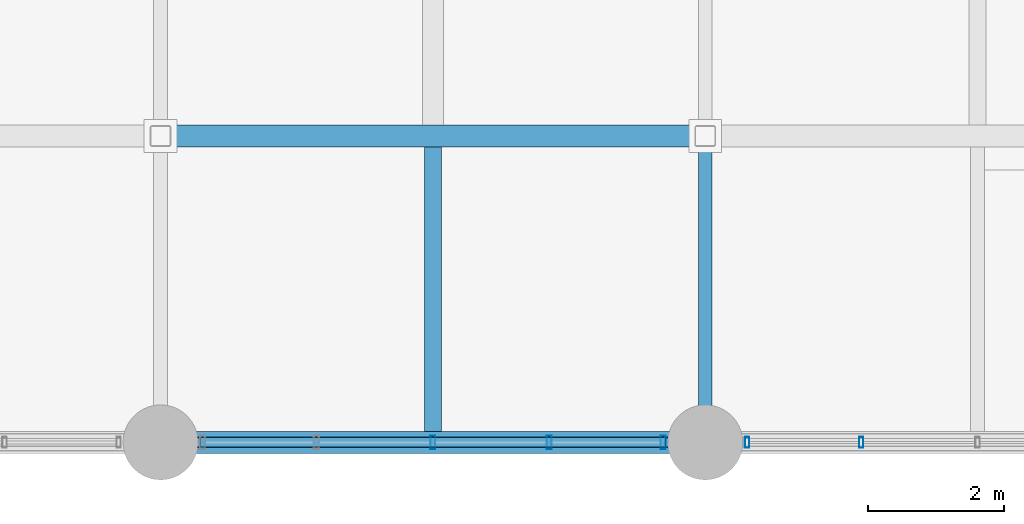
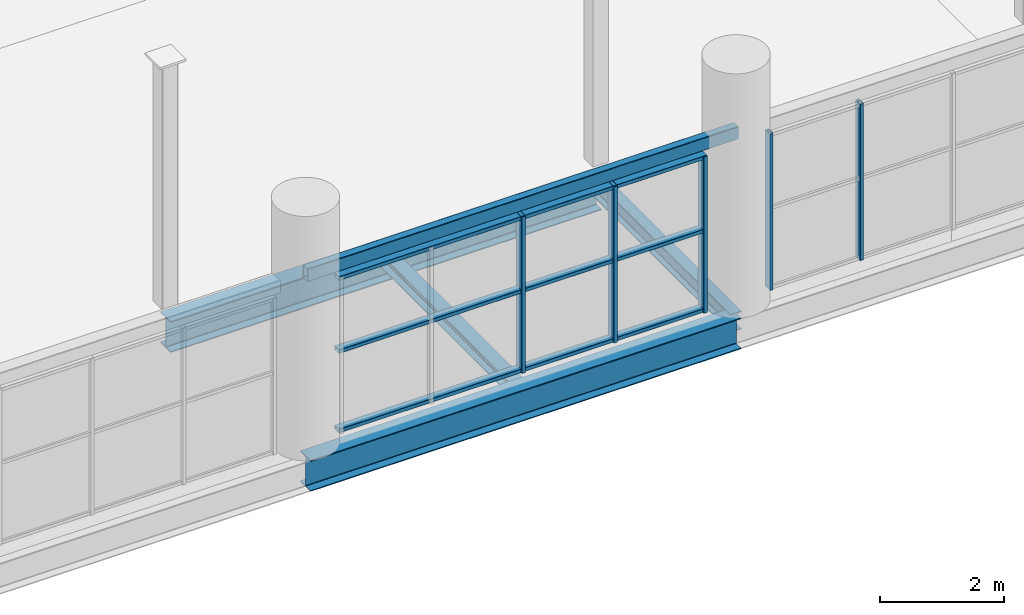
# One storey, part 26 of 114: 8 members, 5 beams, 2 elements without a shape of their own.
"""IFC4 building model written with IfcOpenShell, lengths in metres."""

from ifc_helpers import new_model, si_unit, direction, frame, origin, origin_2d, place, context, subcontext, project, spatial, hollow_rectangle, i_section, extrude, material, material_profile, profile_set, type_object, element, aggregate, save


model = new_model("IFC4")

# Units and contexts
model_context = context("Model", 3, precision=1e-05, world=origin(), true_north=direction((0.0, 1.0)))
body_context = subcontext(model_context, "Body", "Model", "MODEL_VIEW")
ifc_project = project(units=[si_unit("LENGTHUNIT", "METRE"), si_unit("AREAUNIT", "SQUARE_METRE"), si_unit("VOLUMEUNIT", "CUBIC_METRE"), si_unit("PLANEANGLEUNIT", "RADIAN"), si_unit("MASSUNIT", "GRAM", prefix="KILO")], contexts=[model_context])

# Site, building, storey
site_placement = place(None, origin())
site = spatial("IfcSite", under=ifc_project, at=site_placement, CompositionType="ELEMENT")
building_placement = place(site_placement, origin())
building = spatial("IfcBuilding", under=site, at=building_placement, Name="Verrall Gate Interchange", CompositionType="ELEMENT")
storey_placement = place(building_placement, frame((0.0, 0.0, 6.60009765625)))
storey = spatial("IfcBuildingStorey", under=building, at=storey_placement, Name="L02", CompositionType="ELEMENT", Elevation=6.60009765625)

# Beams
ifc_material_1 = material(Name="Structural Steel CSA G40.21 350WT Cat 4", Category="steel")
ifc_material_profile_1 = material_profile(ifc_material_1, i_section(OverallWidth=0.323974609375, OverallDepth=0.611083984375, WebThickness=0.0126953125, FlangeThickness=0.01904296875, FilletRadius=0.014892578125, at=origin_2d()), Name="W610x155")
ifc_profile_set_1 = profile_set([ifc_material_profile_1], Name="Structural Steel CSA G40.21 350WT Cat 4")
beam_type_1 = type_object("IfcBeamType", Name="B-08 Structural Beam W610x155", PredefinedType="BEAM", material=ifc_profile_set_1)
for number, where, z_axis, x_axis, name in (
    (1, (60.0, 0.0, -0.585693359375), (1.0, 0.0, 0.0), (0.0, 1.0, 0.0), "L02 Girder BM-L02-1444 (B-08)"),
    (2, (60.0, 4.5, -0.585693359375), (1.0, 0.0, 0.0), (0.0, 1.0, 0.0), "L02 Girder BM-L02-1460 (B-08)"),
):
    element("IfcBeam", number, at=place(storey_placement, frame(where, z_axis=z_axis, x_axis=x_axis)), inside=storey, type_object=beam_type_1, Name=name, PredefinedType="BEAM", context=body_context, shape_type="SweptSolid", body=[
        extrude(i_section(OverallWidth=0.323974609375, OverallDepth=0.611083984375, WebThickness=0.0126953125, FlangeThickness=0.01904296875, FilletRadius=0.014892578125, at=origin_2d()), origin(), (0.0, 0.0, 1.0), 8.0),
    ])
ifc_material_2 = material(Name="Structural Steel CSA G40.21 350W", Category="steel")
ifc_material_profile_2 = material_profile(ifc_material_2, i_section(OverallWidth=0.205078125, OverallDepth=0.35400390625, WebThickness=0.009521484375, FlangeThickness=0.016845703125, FilletRadius=0.012939453125, at=origin_2d()), Name="W360x79")
ifc_profile_set_2 = profile_set([ifc_material_profile_2], Name="Structural Steel CSA G40.21 350W")
beam_type_2 = type_object("IfcBeamType", Name="B-14 Structural Beam W360x79", PredefinedType="BEAM", material=ifc_profile_set_2)
beam_1_placement = place(storey_placement, frame((68.0, 0.0, -0.45703125), z_axis=(0.0, 1.0, 0.0), x_axis=(-1.0, 0.0, 0.0)))
element("IfcBeam", 3, at=beam_1_placement, inside=storey, type_object=beam_type_2, Name="L02 Girder BM-L02-1747 (B-14)", PredefinedType="BEAM", context=body_context, shape_type="SweptSolid", body=[
    extrude(i_section(OverallWidth=0.205078125, OverallDepth=0.35400390625, WebThickness=0.009521484375, FlangeThickness=0.016845703125, FilletRadius=0.012939453125, at=origin_2d()), origin(), (0.0, 0.0, 1.0), 4.5),
])

# Curtain wall, members
ifc_material_3 = material(Name="Thermally Broken Anodized Aluminium Curtain Wall Framing", Category="aluminium")
curtain_wall_type = type_object("IfcCurtainWallType", Name="CW-14 Unitized Curtain Wall 6836x3070", PredefinedType="NOTDEFINED", material=ifc_material_3)
curtain_wall_1_placement = place(storey_placement, origin())
curtain_wall_1 = element("IfcCurtainWall", 4, at=curtain_wall_1_placement, inside=storey, type_object=curtain_wall_type, Name="L02 Unitized Curtain Wall CW-L02-056", PredefinedType="NOTDEFINED")
ifc_material_4 = material(Name="Thermally Broken Anodized Aluminium Curtain Wall Framing", Category="aluminium")
ifc_material_profile_3 = material_profile(ifc_material_4, hollow_rectangle(XDim=0.06494140625, YDim=0.159912109375, WallThickness=0.00390625, InnerFilletRadius=0.00390625, OuterFilletRadius=0.008056640625, at=origin_2d()), Name="CWM160x65x4")
ifc_profile_set_3 = profile_set([ifc_material_profile_3], Name="Thermally Broken Anodized Aluminium Curtain Wall Framing")
member_type_1 = type_object("IfcMemberType", Name="CM-01 Curtain Mullion CWM160x65x4", PredefinedType="MULLION", material=ifc_profile_set_3)
member_1_placement = place(storey_placement, frame((68.614501953125, 0.0, 0.0), z_axis=(0.0, 0.0, 1.0), x_axis=(1.0, 0.0, 0.0)))
member_1 = element("IfcMember", 5, at=member_1_placement, type_object=member_type_1, Name="CW-L02-056 Mullion 1", PredefinedType="MULLION", context=body_context, shape_type="SweptSolid", body=[
    extrude(hollow_rectangle(XDim=0.06494140625, YDim=0.159912109375, WallThickness=0.00390625, InnerFilletRadius=0.00390625, OuterFilletRadius=0.008056640625, at=origin_2d()), origin(), (0.0, 0.0, 1.0), 3.06982421875),
])
member_2_placement = place(storey_placement, frame((70.291015625, 0.0, 0.0), z_axis=(0.0, 0.0, 1.0), x_axis=(1.0, 0.0, 0.0)))
member_2 = element("IfcMember", 6, at=member_2_placement, type_object=member_type_1, Name="CW-L02-056 Mullion 2", PredefinedType="MULLION", context=body_context, shape_type="SweptSolid", body=[
    extrude(hollow_rectangle(XDim=0.06494140625, YDim=0.159912109375, WallThickness=0.00390625, InnerFilletRadius=0.00390625, OuterFilletRadius=0.008056640625, at=origin_2d()), origin(), (0.0, 0.0, 1.0), 3.06982421875),
])
aggregate(curtain_wall_1, [member_1, member_2])

curtain_wall_2_placement = place(storey_placement, origin())
curtain_wall_2 = element("IfcCurtainWall", 7, at=curtain_wall_2_placement, inside=storey, type_object=curtain_wall_type, Name="L02 Unitized Curtain Wall CW-L02-055", PredefinedType="NOTDEFINED")
ifc_material_5 = material(Name="Thermally Broken Anodized Aluminium Curtain Wall Framing", Category="aluminium")
ifc_material_profile_4 = material_profile(ifc_material_5, hollow_rectangle(XDim=0.074951171875, YDim=0.199951171875, WallThickness=0.0048828125, InnerFilletRadius=0.0048828125, OuterFilletRadius=0.010009765625, at=origin_2d()), Name="CWM200x75x5")
ifc_profile_set_4 = profile_set([ifc_material_profile_4], Name="Thermally Broken Anodized Aluminium Curtain Wall Framing")
member_type_2 = type_object("IfcMemberType", Name="CM-02 Curtain Mullion CWM200x75x5", PredefinedType="MULLION", material=ifc_profile_set_4)
member_3_placement = place(storey_placement, frame((64.0, 0.0, 0.0), z_axis=(0.0, 0.0, 1.0), x_axis=(1.0, 0.0, 0.0)))
member_3 = element("IfcMember", 8, at=member_3_placement, type_object=member_type_2, Name="CW-L02-055 Mullion 3", PredefinedType="MULLION", context=body_context, shape_type="SweptSolid", body=[
    extrude(hollow_rectangle(XDim=0.074951171875, YDim=0.199951171875, WallThickness=0.0048828125, InnerFilletRadius=0.0048828125, OuterFilletRadius=0.010009765625, at=origin_2d()), origin(), (0.0, 0.0, 1.0), 3.06982421875),
])
member_4_placement = place(storey_placement, frame((65.708984375, 0.0, 0.0), z_axis=(0.0, 0.0, 1.0), x_axis=(1.0, 0.0, 0.0)))
member_4 = element("IfcMember", 9, at=member_4_placement, type_object=member_type_2, Name="CW-L02-055 Mullion 4", PredefinedType="MULLION", context=body_context, shape_type="SweptSolid", body=[
    extrude(hollow_rectangle(XDim=0.074951171875, YDim=0.199951171875, WallThickness=0.0048828125, InnerFilletRadius=0.0048828125, OuterFilletRadius=0.010009765625, at=origin_2d()), origin(), (0.0, 0.0, 1.0), 3.06982421875),
])
member_5_placement = place(storey_placement, frame((67.380615234375, 0.0, 0.0), z_axis=(0.0, 0.0, 1.0), x_axis=(1.0, 0.0, 0.0)))
member_5 = element("IfcMember", 10, at=member_5_placement, type_object=member_type_2, Name="CW-L02-055 Mullion 5", PredefinedType="MULLION", context=body_context, shape_type="SweptSolid", body=[
    extrude(hollow_rectangle(XDim=0.074951171875, YDim=0.199951171875, WallThickness=0.0048828125, InnerFilletRadius=0.0048828125, OuterFilletRadius=0.010009765625, at=origin_2d()), origin(), (0.0, 0.0, 1.0), 3.06982421875),
])
ifc_material_6 = material(Name="Thermally Broken Anodized Aluminium Curtain Wall Framing", Category="aluminium")
ifc_material_profile_5 = material_profile(ifc_material_6, hollow_rectangle(XDim=0.14990234375, YDim=0.074951171875, WallThickness=0.00439453125, InnerFilletRadius=0.00439453125, OuterFilletRadius=0.009033203125, at=origin_2d()), Name="CWT150x75x4.5")
ifc_profile_set_5 = profile_set([ifc_material_profile_5], Name="Thermally Broken Anodized Aluminium Curtain Wall Framing")
member_type_3 = type_object("IfcMemberType", Name="CT-02 Curtain Transom CWT150x75x4.5", PredefinedType="USERDEFINED", material=ifc_profile_set_5)
member_6_placement = place(storey_placement, frame((60.58203125, 0.0, 0.037353515625), z_axis=(1.0, 0.0, 0.0), x_axis=(0.0, 1.0, 0.0)))
member_6 = element("IfcMember", 11, at=member_6_placement, type_object=member_type_3, Name="CW-L02-055 Transom 1", ObjectType="TRANSOM", PredefinedType="USERDEFINED", context=body_context, shape_type="SweptSolid", body=[
    extrude(hollow_rectangle(XDim=0.14990234375, YDim=0.074951171875, WallThickness=0.00439453125, InnerFilletRadius=0.00439453125, OuterFilletRadius=0.009033203125, at=origin_2d()), origin(), (0.0, 0.0, 1.0), 6.8359375),
])
member_7_placement = place(storey_placement, frame((60.58203125, 0.0, 1.59619140625), z_axis=(1.0, 0.0, 0.0), x_axis=(0.0, 1.0, 0.0)))
member_7 = element("IfcMember", 12, at=member_7_placement, type_object=member_type_3, Name="CW-L02-055 Transom 2", ObjectType="TRANSOM", PredefinedType="USERDEFINED", context=body_context, shape_type="SweptSolid", body=[
    extrude(hollow_rectangle(XDim=0.14990234375, YDim=0.074951171875, WallThickness=0.00439453125, InnerFilletRadius=0.00439453125, OuterFilletRadius=0.009033203125, at=origin_2d()), origin(), (0.0, 0.0, 1.0), 6.8359375),
])
member_8_placement = place(storey_placement, frame((60.58203125, 0.0, 3.032470703125), z_axis=(1.0, 0.0, 0.0), x_axis=(0.0, 1.0, 0.0)))
member_8 = element("IfcMember", 13, at=member_8_placement, type_object=member_type_3, Name="CW-L02-055 Transom 3", ObjectType="TRANSOM", PredefinedType="USERDEFINED", context=body_context, shape_type="SweptSolid", body=[
    extrude(hollow_rectangle(XDim=0.14990234375, YDim=0.074951171875, WallThickness=0.00439453125, InnerFilletRadius=0.00439453125, OuterFilletRadius=0.009033203125, at=origin_2d()), origin(), (0.0, 0.0, 1.0), 6.8359375),
])
aggregate(curtain_wall_2, [member_3, member_4, member_5, member_6, member_7, member_8])

# Beams
ifc_material_7 = material(Name="Structural Steel CSA G40.21 350W", Category="steel")
ifc_material_profile_6 = material_profile(ifc_material_7, i_section(OverallWidth=0.25390625, OverallDepth=0.2529296875, WebThickness=0.008544921875, FlangeThickness=0.01416015625, FilletRadius=0.011962890625, at=origin_2d()), Name="W250x73")
ifc_profile_set_6 = profile_set([ifc_material_profile_6], Name="Structural Steel CSA G40.21 350W")
beam_type_3 = type_object("IfcBeamType", Name="J-05 Floor Joist W250x73", PredefinedType="JOIST", material=ifc_profile_set_6)
beam_2_placement = place(storey_placement, frame((64.0, 0.162109375, -0.406494140625), z_axis=(0.0, 1.0, 0.0), x_axis=(-1.0, 0.0, 0.0)))
element("IfcBeam", 14, at=beam_2_placement, inside=storey, type_object=beam_type_3, Name="L02 Secondary Floor Joist JST-L02-1847", PredefinedType="JOIST", context=body_context, shape_type="SweptSolid", body=[
    extrude(i_section(OverallWidth=0.25390625, OverallDepth=0.2529296875, WebThickness=0.008544921875, FlangeThickness=0.01416015625, FilletRadius=0.011962890625, at=origin_2d()), origin(), (0.0, 0.0, 1.0), 4.17578125),
])
ifc_material_8 = material(Name="Structural Steel CSA G40.21 350W", Category="steel")
ifc_material_profile_7 = material_profile(ifc_material_8, hollow_rectangle(XDim=0.152099609375, YDim=0.25390625, WallThickness=0.009521484375, InnerFilletRadius=0.009521484375, OuterFilletRadius=0.01904296875, at=origin_2d()), Name="HSS254x152x9.5")
ifc_profile_set_7 = profile_set([ifc_material_profile_7], Name="Structural Steel CSA G40.21 350W")
beam_type_4 = type_object("IfcBeamType", Name="LN-01 Portal Lintel HSS254x152x9.5", PredefinedType="LINTEL", material=ifc_profile_set_7)
beam_3_placement = place(storey_placement, frame((60.0, 0.0, 3.2998046875), z_axis=(1.0, 0.0, 0.0), x_axis=(0.0, 1.0, 0.0)))
element("IfcBeam", 15, at=beam_3_placement, inside=storey, type_object=beam_type_4, Name="Classical Portal Lintel 025", PredefinedType="LINTEL", context=body_context, shape_type="SweptSolid", body=[
    extrude(hollow_rectangle(XDim=0.152099609375, YDim=0.25390625, WallThickness=0.009521484375, InnerFilletRadius=0.009521484375, OuterFilletRadius=0.01904296875, at=origin_2d()), origin(), (0.0, 0.0, 1.0), 8.0),
])

save(model, "model.ifc")
